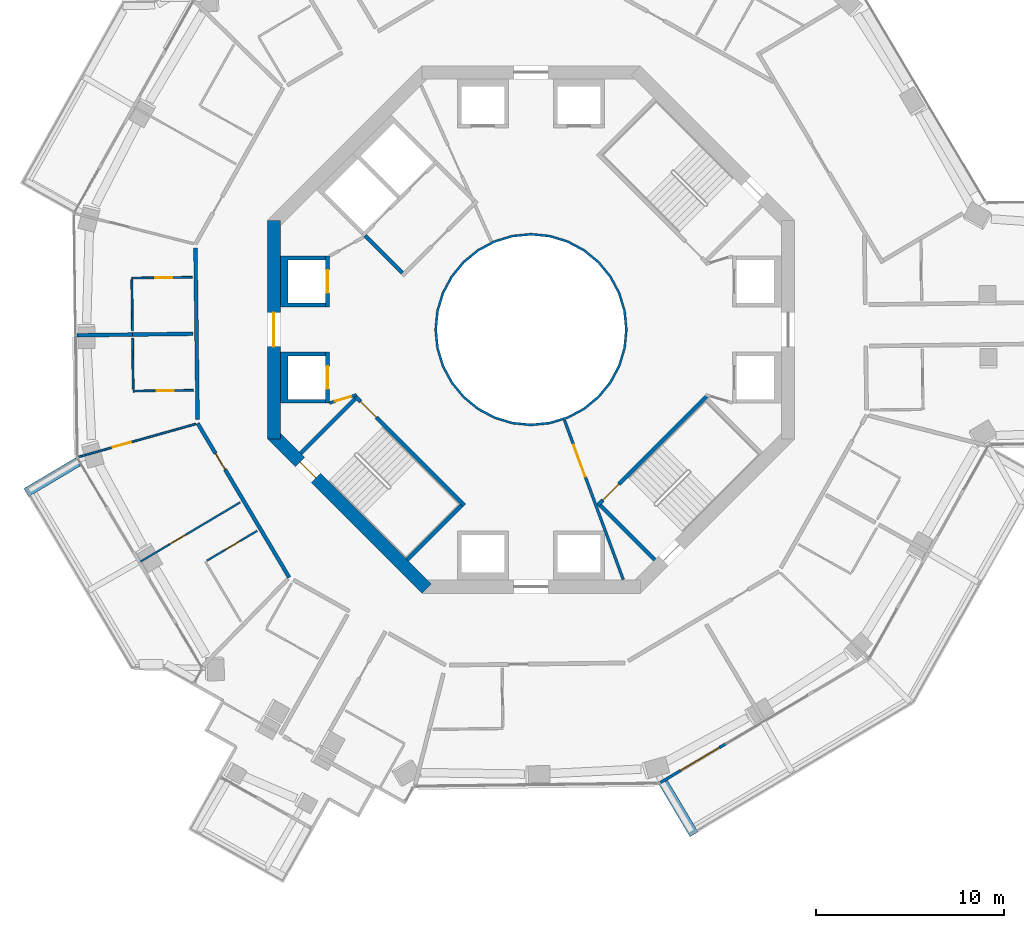
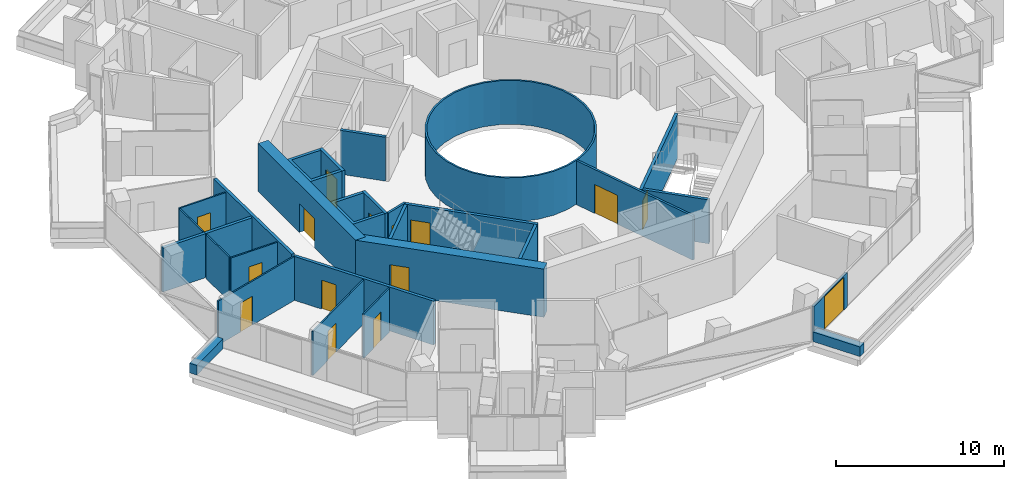
# One storey, part 14 of 21: 29 walls, 15 doors, 15 openings.
"""IFC4 building model written with IfcOpenShell, lengths in metres."""

from ifc_helpers import new_model, si_unit, direction, frame, frame_2d, origin, place, context, subcontext, project, spatial, polyline, rectangle, outline, extrude, material, layer, layer_set, type_object, element, fill, save


model = new_model("IFC4")

# Units and contexts
model_context = context("Model", 3, precision=1e-05, world=origin(), true_north=direction((0.0, 1.0)))
body_context = subcontext(model_context, "Body", "Model", "MODEL_VIEW")
ifc_project = project(units=[si_unit("LENGTHUNIT", "METRE"), si_unit("AREAUNIT", "SQUARE_METRE"), si_unit("VOLUMEUNIT", "CUBIC_METRE"), si_unit("PLANEANGLEUNIT", "RADIAN"), si_unit("MASSUNIT", "GRAM", prefix="KILO")], contexts=[model_context])

# Site, building, storey
site_placement = place(None, origin())
site = spatial("IfcSite", under=ifc_project, at=site_placement, CompositionType="ELEMENT")
building_placement = place(site_placement, origin())
building = spatial("IfcBuilding", under=site, at=building_placement, Name="Verdalira Terraces Hotel", CompositionType="ELEMENT")
storey_placement = place(building_placement, frame((0.0, 0.0, 158.5)))
storey = spatial("IfcBuildingStorey", under=building, at=storey_placement, Name="L38", CompositionType="ELEMENT", Elevation=158.5)

# Walls
ifc_material_1 = material(Name="Fire-resisting glass EI 180", Category="glass")
ifc_layer_1 = layer(ifc_material_1, 0.1201171875)
ifc_layer_set_1 = layer_set([ifc_layer_1], Name="Atrium fire screen 120 mm")
wall_type_1 = type_object("IfcWallType", Name="Atrium fire screen 120 mm", PredefinedType="SOLIDWALL", material=ifc_layer_set_1)
wall_1_placement = place(storey_placement, origin())
element("IfcWall", 1, at=wall_1_placement, inside=storey, type_object=wall_type_1, Name="Atrium fire screen", PredefinedType="SOLIDWALL", context=body_context, shape_type="SweptSolid", body=[
    extrude(outline(polyline([(5.021484, -0.998779), (4.730225, -1.959229), (4.25708, -2.844482), (3.620361, -3.620361), (2.844482, -4.25708), (1.959229, -4.730225), (0.998779, -5.021484), (0.0, -5.120117), (-0.998779, -5.021484), (-1.959229, -4.730225), (-2.844482, -4.25708), (-3.620361, -3.620361), (-4.25708, -2.844482), (-4.730225, -1.959229), (-5.021484, -0.998779), (-5.120117, 0.0), (-5.021484, 0.998779), (-4.730225, 1.959229), (-4.25708, 2.844482), (-3.620361, 3.620361), (-2.844482, 4.25708), (-1.959229, 4.730225), (-0.998779, 5.021484), (0.0, 5.120117), (0.998779, 5.021484), (1.959229, 4.730225), (2.844482, 4.25708), (3.620361, 3.620361), (4.25708, 2.844482), (4.730225, 1.959229), (5.021484, 0.998779), (5.120117, 0.0), (5.021484, -0.998779)]), holes=[polyline([(4.903809, 0.975586), (4.619385, 1.91333), (4.157227, 2.777832), (3.5354, 3.5354), (2.777832, 4.157227), (1.91333, 4.619385), (0.975586, 4.903809), (0.0, 5.0), (-0.975586, 4.903809), (-1.91333, 4.619385), (-2.777832, 4.157227), (-3.5354, 3.5354), (-4.157227, 2.777832), (-4.619385, 1.91333), (-4.903809, 0.975586), (-5.0, 0.0), (-4.903809, -0.975586), (-4.619385, -1.91333), (-4.157227, -2.777832), (-3.5354, -3.5354), (-2.777832, -4.157227), (-1.91333, -4.619385), (-0.975586, -4.903809), (0.0, -5.0), (0.975586, -4.903809), (1.91333, -4.619385), (2.777832, -4.157227), (3.5354, -3.5354), (4.157227, -2.777832), (4.619385, -1.91333), (4.903809, -0.975586), (5.0, 0.0), (4.903809, 0.975586)])]), origin(), (0.0, 0.0, 1.0), 3.189941),
])
ifc_material_2 = material(Name="Concrete C40", Category="concrete")
ifc_layer_2 = layer(ifc_material_2, 0.5)
ifc_layer_set_2 = layer_set([ifc_layer_2], Name="Balcony planter trough with tree")
wall_type_2 = type_object("IfcWallType", Name="Balcony planter trough with tree", PredefinedType="SOLIDWALL", material=ifc_layer_set_2)
for number, where, z_axis, x_axis, name in (
    (2, (-24.047852, -7.019775, 0.0), (0.0, 0.0, 1.0), (-0.859673576, -0.510843756, 0.0), "Balcony planter"),
    (3, (7.019775, -24.047852, 0.0), (0.0, 0.0, 1.0), (0.510843756, -0.859673576, 0.0), "Balcony planter"),
):
    element("IfcWall", number, at=place(storey_placement, frame(where, z_axis=z_axis, x_axis=x_axis)), inside=storey, type_object=wall_type_2, Name=name, PredefinedType="SOLIDWALL", context=body_context, shape_type="SweptSolid", body=[
        extrude(rectangle(XDim=3.199219, YDim=0.5, at=frame_2d((1.599609, 0.0))), origin(), (0.0, 0.0, 1.0), 0.699951),
    ])
ifc_material_3 = material(Name="Moisture-resistant gypsum board partition")
ifc_layer_3 = layer(ifc_material_3, 0.10009765625)
ifc_layer_set_3 = layer_set([ifc_layer_3], Name="Bathroom partition 100 mm")
wall_type_3 = type_object("IfcWallType", Name="Bathroom partition 100 mm", PredefinedType="PARTITIONING", material=ifc_layer_set_3)
for number, where, z_axis, x_axis, name in (
    (4, (-21.193115, 2.633789, 0.0), (0.0, 0.0, 1.0), (0.012569092, -0.999921006, 0.0), "Bathroom partition"),
    (5, (-21.154053, -0.46582, 0.0), (0.0, 0.0, 1.0), (0.012569092, -0.999921006, 0.0), "Bathroom partition"),
):
    element("IfcWall", number, at=place(storey_placement, frame(where, z_axis=z_axis, x_axis=x_axis)), inside=storey, type_object=wall_type_3, Name=name, PredefinedType="PARTITIONING", context=body_context, shape_type="SweptSolid", body=[
        extrude(rectangle(XDim=2.699951, YDim=0.100098, at=frame_2d((1.350098, 0.0))), origin(), (0.0, 0.0, 1.0), 3.189941),
    ])

# Wall, opening, door
wall_2_placement = place(storey_placement, frame((-24.030273, -6.763672, 0.0), z_axis=(0.0, 0.0, 1.0), x_axis=(0.962600564, 0.27092463, 0.0)))
wall_2 = element("IfcWall", 6, at=wall_2_placement, inside=storey, type_object=wall_type_3, Name="Bathroom partition", PredefinedType="PARTITIONING", context=body_context, shape_type="SweptSolid", body=[
    extrude(rectangle(XDim=6.475586, YDim=0.100098, at=frame_2d((3.237793, 0.0))), origin(), (0.0, 0.0, 1.0), 3.189941),
])
opening_1_placement = place(wall_2_placement, frame((1.899902, 0.0, 0.0)))
opening_1 = element("IfcOpeningElement", 7, at=opening_1_placement, cuts=wall_2, Name="Opening L38-112", PredefinedType="OPENING", context=body_context, shape_type="SweptSolid", body=[
    extrude(rectangle(XDim=1.0, YDim=2.100098, at=frame_2d((0.5, 1.050049))), frame((0.0, 0.060059, 0.0), z_axis=(0.0, -1.0, 0.0), x_axis=(1.0, 0.0, 0.0)), (0.0, 0.0, 1.0), 0.120117),
])
ifc_material_4 = material(Name="Timber door", Category="wood")
door_type_1 = type_object("IfcDoorType", Name="Suite internal door 1000 x 2100", OperationType="NOTDEFINED", PredefinedType="DOOR", material=ifc_material_4)
door_1_placement = place(opening_1_placement, origin())
door_1 = element("IfcDoor", 8, at=door_1_placement, inside=storey, type_object=door_type_1, Name="Suite internal door 3803", OperationType="SINGLE_SWING_LEFT", OverallHeight=2.10009765625, OverallWidth=1.0, PredefinedType="DOOR", context=body_context, shape_type="SweptSolid", body=[
    extrude(rectangle(XDim=1.0, YDim=2.100098, at=frame_2d((0.5, 1.050049))), frame((0.0, 0.024902, 0.0), z_axis=(0.0, -1.0, 0.0), x_axis=(1.0, 0.0, 0.0)), (0.0, 0.0, 1.0), 0.050049),
])
fill(opening_1, door_1)

wall_3_placement = place(storey_placement, frame((-17.994629, 2.77417, 0.0), z_axis=(0.0, 0.0, 1.0), x_axis=(-0.99992076, -0.012588656, 0.0)))
wall_3 = element("IfcWall", 9, at=wall_3_placement, inside=storey, type_object=wall_type_3, Name="Bathroom partition", PredefinedType="PARTITIONING", context=body_context, shape_type="SweptSolid", body=[
    extrude(rectangle(XDim=3.199951, YDim=0.100098, at=frame_2d((1.600098, 0.0))), origin(), (0.0, 0.0, 1.0), 3.189941),
])
opening_2_placement = place(wall_3_placement, frame((1.050049, 0.0, 0.0)))
opening_2 = element("IfcOpeningElement", 10, at=opening_2_placement, cuts=wall_3, Name="Opening L38-110", PredefinedType="OPENING", context=body_context, shape_type="SweptSolid", body=[
    extrude(rectangle(XDim=0.899902, YDim=2.100098, at=frame_2d((0.449951, 1.050049))), frame((0.0, 0.060059, 0.0), z_axis=(0.0, -1.0, 0.0), x_axis=(1.0, 0.0, 0.0)), (0.0, 0.0, 1.0), 0.120117),
])
ifc_material_5 = material(Name="Timber door", Category="wood")
door_type_2 = type_object("IfcDoorType", Name="Bathroom door 900 x 2100", OperationType="NOTDEFINED", PredefinedType="DOOR", material=ifc_material_5)
door_2_placement = place(opening_2_placement, origin())
door_2 = element("IfcDoor", 11, at=door_2_placement, inside=storey, type_object=door_type_2, Name="Bathroom door 3802", OperationType="SINGLE_SWING_RIGHT", OverallHeight=2.10009765625, OverallWidth=0.89990234375, PredefinedType="DOOR", context=body_context, shape_type="SweptSolid", body=[
    extrude(rectangle(XDim=0.899902, YDim=2.100098, at=frame_2d((0.449951, 1.050049))), frame((0.0, 0.024902, 0.0), z_axis=(0.0, -1.0, 0.0), x_axis=(1.0, 0.0, 0.0)), (0.0, 0.0, 1.0), 0.050049),
])
fill(opening_2, door_2)

wall_4_placement = place(storey_placement, frame((-21.118896, -3.265625, 0.0), z_axis=(0.0, 0.0, 1.0), x_axis=(0.99992076, 0.012588656, 0.0)))
wall_4 = element("IfcWall", 12, at=wall_4_placement, inside=storey, type_object=wall_type_3, Name="Bathroom partition", PredefinedType="PARTITIONING", context=body_context, shape_type="SweptSolid", body=[
    extrude(rectangle(XDim=3.199951, YDim=0.100098, at=frame_2d((1.600098, 0.0))), origin(), (0.0, 0.0, 1.0), 3.189941),
])
opening_3_placement = place(wall_4_placement, frame((1.25, 0.0, 0.0)))
opening_3 = element("IfcOpeningElement", 13, at=opening_3_placement, cuts=wall_4, Name="Opening L38-114", PredefinedType="OPENING", context=body_context, shape_type="SweptSolid", body=[
    extrude(rectangle(XDim=0.899902, YDim=2.100098, at=frame_2d((0.449951, 1.050049))), frame((0.0, 0.060059, 0.0), z_axis=(0.0, -1.0, 0.0), x_axis=(1.0, 0.0, 0.0)), (0.0, 0.0, 1.0), 0.120117),
])
door_3_placement = place(opening_3_placement, origin())
door_3 = element("IfcDoor", 14, at=door_3_placement, inside=storey, type_object=door_type_2, Name="Bathroom door 3803", OperationType="SINGLE_SWING_LEFT", OverallHeight=2.10009765625, OverallWidth=0.89990234375, PredefinedType="DOOR", context=body_context, shape_type="SweptSolid", body=[
    extrude(rectangle(XDim=0.899902, YDim=2.100098, at=frame_2d((0.449951, 1.050049))), frame((0.0, 0.024902, 0.0), z_axis=(0.0, -1.0, 0.0), x_axis=(1.0, 0.0, 0.0)), (0.0, 0.0, 1.0), 0.050049),
])
fill(opening_3, door_3)

wall_5_placement = place(storey_placement, frame((-15.438232, -9.173828, 0.0), z_axis=(0.0, 0.0, 1.0), x_axis=(-0.859667353, -0.510854228, 0.0)))
wall_5 = element("IfcWall", 15, at=wall_5_placement, inside=storey, type_object=wall_type_3, Name="Bathroom partition", PredefinedType="PARTITIONING", context=body_context, shape_type="SweptSolid", body=[
    extrude(rectangle(XDim=6.150146, YDim=0.100098, at=frame_2d((3.075195, 0.0))), origin(), (0.0, 0.0, 1.0), 3.189941),
])
opening_4_placement = place(wall_5_placement, frame((3.350098, 0.0, 0.0)))
opening_4 = element("IfcOpeningElement", 16, at=opening_4_placement, cuts=wall_5, Name="Opening L38-113", PredefinedType="OPENING", context=body_context, shape_type="SweptSolid", body=[
    extrude(rectangle(XDim=1.0, YDim=2.100098, at=frame_2d((0.5, 1.050049))), frame((0.0, 0.060059, 0.0), z_axis=(0.0, -1.0, 0.0), x_axis=(1.0, 0.0, 0.0)), (0.0, 0.0, 1.0), 0.120117),
])
door_4_placement = place(opening_4_placement, origin())
door_4 = element("IfcDoor", 17, at=door_4_placement, inside=storey, type_object=door_type_1, Name="Suite internal door 3803", OperationType="SINGLE_SWING_LEFT", OverallHeight=2.10009765625, OverallWidth=1.0, PredefinedType="DOOR", context=body_context, shape_type="SweptSolid", body=[
    extrude(rectangle(XDim=1.0, YDim=2.100098, at=frame_2d((0.5, 1.050049))), frame((0.0, 0.024902, 0.0), z_axis=(0.0, -1.0, 0.0), x_axis=(1.0, 0.0, 0.0)), (0.0, 0.0, 1.0), 0.050049),
])
fill(opening_4, door_4)

wall_6_placement = place(storey_placement, frame((-14.540039, -10.685547, 0.0), z_axis=(0.0, 0.0, 1.0), x_axis=(-0.859694802, -0.510808033, 0.0)))
wall_6 = element("IfcWall", 18, at=wall_6_placement, inside=storey, type_object=wall_type_3, Name="Bathroom partition", PredefinedType="PARTITIONING", context=body_context, shape_type="SweptSolid", body=[
    extrude(rectangle(XDim=3.100098, YDim=0.100098, at=frame_2d((1.550049, 0.0))), origin(), (0.0, 0.0, 1.0), 3.189941),
])
opening_5_placement = place(wall_6_placement, frame((1.050049, 0.0, 0.0)))
opening_5 = element("IfcOpeningElement", 19, at=opening_5_placement, cuts=wall_6, Name="Opening L38-115", PredefinedType="OPENING", context=body_context, shape_type="SweptSolid", body=[
    extrude(rectangle(XDim=0.899902, YDim=2.100098, at=frame_2d((0.449951, 1.050049))), frame((0.0, 0.060059, 0.0), z_axis=(0.0, -1.0, 0.0), x_axis=(1.0, 0.0, 0.0)), (0.0, 0.0, 1.0), 0.120117),
])
door_5_placement = place(opening_5_placement, origin())
door_5 = element("IfcDoor", 20, at=door_5_placement, inside=storey, type_object=door_type_2, Name="Bathroom door 3803", OperationType="SINGLE_SWING_RIGHT", OverallHeight=2.10009765625, OverallWidth=0.89990234375, PredefinedType="DOOR", context=body_context, shape_type="SweptSolid", body=[
    extrude(rectangle(XDim=0.899902, YDim=2.100098, at=frame_2d((0.449951, 1.050049))), frame((0.0, 0.024902, 0.0), z_axis=(0.0, -1.0, 0.0), x_axis=(1.0, 0.0, 0.0)), (0.0, 0.0, 1.0), 0.050049),
])
fill(opening_5, door_5)

# Wall
ifc_material_6 = material(Name="Concrete C50", Category="concrete")
ifc_layer_4 = layer(ifc_material_6, 0.199951171875)
ifc_layer_set_4 = layer_set([ifc_layer_4], Name="Core RC wall 200 C50")
wall_type_4 = type_object("IfcWallType", Name="Core RC wall 200 C50", PredefinedType="SOLIDWALL", material=ifc_layer_set_4)
wall_7_placement = place(storey_placement, origin())
element("IfcWall", 21, at=wall_7_placement, inside=storey, type_object=wall_type_4, Name="L38 shaft wall W1", PredefinedType="SOLIDWALL", context=body_context, shape_type="SweptSolid", body=[
    extrude(outline(polyline([(-13.300049, 3.899902), (-10.899902, 3.899902), (-10.899902, 3.699951), (-12.899902, 3.699951), (-12.899902, 1.399902), (-10.899902, 1.399902), (-10.899902, 1.199951), (-13.300049, 1.199951), (-13.300049, 3.899902)])), origin(), (0.0, 0.0, 1.0), 3.189941),
])

# Wall, opening, door
wall_8_placement = place(storey_placement, frame((-10.800049, 1.199951, 0.0), z_axis=(0.0, 0.0, 1.0), x_axis=(0.0, 1.0, 0.0)))
wall_8 = element("IfcWall", 22, at=wall_8_placement, inside=storey, type_object=wall_type_4, Name="L38 shaft front wall W1", PredefinedType="SOLIDWALL", context=body_context, shape_type="SweptSolid", body=[
    extrude(rectangle(XDim=2.699951, YDim=0.199951, at=frame_2d((1.350098, 0.0))), origin(), (0.0, 0.0, 1.0), 3.189941),
])
opening_6_placement = place(wall_8_placement, frame((0.75, 0.0, 0.0)))
opening_6 = element("IfcOpeningElement", 23, at=opening_6_placement, cuts=wall_8, Name="Opening LD-L38-805", PredefinedType="OPENING", context=body_context, shape_type="SweptSolid", body=[
    extrude(rectangle(XDim=1.199951, YDim=2.100098, at=frame_2d((0.600098, 1.050049))), frame((0.0, 0.109863, 0.0), z_axis=(0.0, -1.0, 0.0), x_axis=(1.0, 0.0, 0.0)), (0.0, 0.0, 1.0), 0.219971),
])
ifc_material_7 = material(Name="Stainless steel", Category="steel")
door_type_3 = type_object("IfcDoorType", Name="Landing door 1200 x 2100", OperationType="NOTDEFINED", PredefinedType="DOOR", material=ifc_material_7)
door_6_placement = place(opening_6_placement, origin())
door_6 = element("IfcDoor", 24, at=door_6_placement, inside=storey, type_object=door_type_3, Name="Lift landing door LR5 L38", OperationType="DOUBLE_DOOR_SLIDING", OverallHeight=2.10009765625, OverallWidth=1.199951171875, PredefinedType="DOOR", context=body_context, shape_type="SweptSolid", body=[
    extrude(rectangle(XDim=1.199951, YDim=2.100098, at=frame_2d((0.600098, 1.050049))), frame((0.0, 0.024902, 0.0), z_axis=(0.0, -1.0, 0.0), x_axis=(1.0, 0.0, 0.0)), (0.0, 0.0, 1.0), 0.050049),
])
fill(opening_6, door_6)

# Wall
wall_9_placement = place(storey_placement, origin())
element("IfcWall", 25, at=wall_9_placement, inside=storey, type_object=wall_type_4, Name="L38 shaft wall W2", PredefinedType="SOLIDWALL", context=body_context, shape_type="SweptSolid", body=[
    extrude(outline(polyline([(-13.300049, -3.899902), (-13.300049, -1.199951), (-10.899902, -1.199951), (-10.899902, -1.399902), (-12.899902, -1.399902), (-12.899902, -3.699951), (-10.899902, -3.699951), (-10.899902, -3.899902), (-13.300049, -3.899902)])), origin(), (0.0, 0.0, 1.0), 3.189941),
])

# Wall, opening, door
wall_10_placement = place(storey_placement, frame((-10.800049, -1.199951, 0.0), z_axis=(0.0, 0.0, 1.0), x_axis=(0.0, -1.0, 0.0)))
wall_10 = element("IfcWall", 26, at=wall_10_placement, inside=storey, type_object=wall_type_4, Name="L38 shaft front wall W2", PredefinedType="SOLIDWALL", context=body_context, shape_type="SweptSolid", body=[
    extrude(rectangle(XDim=2.699951, YDim=0.199951, at=frame_2d((1.350098, 0.0))), origin(), (0.0, 0.0, 1.0), 3.189941),
])
opening_7_placement = place(wall_10_placement, frame((0.75, 0.0, 0.0)))
opening_7 = element("IfcOpeningElement", 27, at=opening_7_placement, cuts=wall_10, Name="Opening LD-L38-806", PredefinedType="OPENING", context=body_context, shape_type="SweptSolid", body=[
    extrude(rectangle(XDim=1.199951, YDim=2.100098, at=frame_2d((0.600098, 1.050049))), frame((0.0, 0.109863, 0.0), z_axis=(0.0, -1.0, 0.0), x_axis=(1.0, 0.0, 0.0)), (0.0, 0.0, 1.0), 0.219971),
])
door_7_placement = place(opening_7_placement, origin())
door_7 = element("IfcDoor", 28, at=door_7_placement, inside=storey, type_object=door_type_3, Name="Lift landing door LR6 L38", OperationType="DOUBLE_DOOR_SLIDING", OverallHeight=2.10009765625, OverallWidth=1.199951171875, PredefinedType="DOOR", context=body_context, shape_type="SweptSolid", body=[
    extrude(rectangle(XDim=1.199951, YDim=2.100098, at=frame_2d((0.600098, 1.050049))), frame((0.0, 0.024902, 0.0), z_axis=(0.0, -1.0, 0.0), x_axis=(1.0, 0.0, 0.0)), (0.0, 0.0, 1.0), 0.050049),
])
fill(opening_7, door_7)

wall_11_placement = place(storey_placement, frame((-3.5354, -9.33374, 0.0), z_axis=(0.0, 0.0, 1.0), x_axis=(-0.707106781, 0.707106781, 0.0)))
wall_11 = element("IfcWall", 29, at=wall_11_placement, inside=storey, type_object=wall_type_4, Name="L38 stair ST2 front wall", PredefinedType="SOLIDWALL", context=body_context, shape_type="SweptSolid", body=[
    extrude(rectangle(XDim=8.200195, YDim=0.199951, at=frame_2d((4.100098, 0.0))), origin(), (0.0, 0.0, 1.0), 3.189941),
])
opening_8_placement = place(wall_11_placement, frame((6.600098, 0.0, 0.0)))
opening_8 = element("IfcOpeningElement", 30, at=opening_8_placement, cuts=wall_11, Name="Opening L38-810", PredefinedType="OPENING", context=body_context, shape_type="SweptSolid", body=[
    extrude(rectangle(XDim=1.199951, YDim=2.100098, at=frame_2d((0.600098, 1.050049))), frame((0.0, 0.109863, 0.0), z_axis=(0.0, -1.0, 0.0), x_axis=(1.0, 0.0, 0.0)), (0.0, 0.0, 1.0), 0.219971),
])
ifc_material_8 = material(Name="Steel fire door", Category="steel")
door_type_4 = type_object("IfcDoorType", Name="Stair door 1200 x 2100", OperationType="NOTDEFINED", PredefinedType="DOOR", material=ifc_material_8)
door_8_placement = place(opening_8_placement, origin())
door_8 = element("IfcDoor", 31, at=door_8_placement, inside=storey, type_object=door_type_4, Name="Stair door ST2 L38", OperationType="SINGLE_SWING_RIGHT", OverallHeight=2.10009765625, OverallWidth=1.199951171875, PredefinedType="DOOR", context=body_context, shape_type="SweptSolid", body=[
    extrude(rectangle(XDim=1.199951, YDim=2.100098, at=frame_2d((0.600098, 1.050049))), frame((0.0, 0.024902, 0.0), z_axis=(0.0, -1.0, 0.0), x_axis=(1.0, 0.0, 0.0)), (0.0, 0.0, 1.0), 0.050049),
])
fill(opening_8, door_8)

# Walls
for number, where, z_axis, x_axis, name in (
    (32, (-9.33374, -3.677002, 0.0), (0.0, 0.0, 1.0), (-0.707106781, -0.707106781, 0.0), "L38 stair ST2 end wall 1"),
    (33, (-3.677002, -9.33374, 0.0), (0.0, 0.0, 1.0), (-0.707106781, -0.707106781, 0.0), "L38 stair ST2 end wall 2"),
):
    element("IfcWall", number, at=place(storey_placement, frame(where, z_axis=z_axis, x_axis=x_axis)), inside=storey, type_object=wall_type_4, Name=name, PredefinedType="SOLIDWALL", context=body_context, shape_type="SweptSolid", body=[
        extrude(rectangle(XDim=4.100098, YDim=0.199951, at=frame_2d((2.050049, 0.0))), origin(), (0.0, 0.0, 1.0), 3.189941),
    ])

# Wall, opening, door
wall_12_placement = place(storey_placement, frame((9.33374, -3.5354, 0.0), z_axis=(0.0, 0.0, 1.0), x_axis=(-0.707106781, -0.707106781, 0.0)))
wall_12 = element("IfcWall", 34, at=wall_12_placement, inside=storey, type_object=wall_type_4, Name="L38 stair ST3 front wall", PredefinedType="SOLIDWALL", context=body_context, shape_type="SweptSolid", body=[
    extrude(rectangle(XDim=8.200195, YDim=0.199951, at=frame_2d((4.100098, 0.0))), origin(), (0.0, 0.0, 1.0), 3.189941),
])
opening_9_placement = place(wall_12_placement, frame((6.600098, 0.0, 0.0)))
opening_9 = element("IfcOpeningElement", 35, at=opening_9_placement, cuts=wall_12, Name="Opening L38-811", PredefinedType="OPENING", context=body_context, shape_type="SweptSolid", body=[
    extrude(rectangle(XDim=1.199951, YDim=2.100098, at=frame_2d((0.600098, 1.050049))), frame((0.0, 0.109863, 0.0), z_axis=(0.0, -1.0, 0.0), x_axis=(1.0, 0.0, 0.0)), (0.0, 0.0, 1.0), 0.219971),
])
door_9_placement = place(opening_9_placement, origin())
door_9 = element("IfcDoor", 36, at=door_9_placement, inside=storey, type_object=door_type_4, Name="Stair door ST3 L38", OperationType="SINGLE_SWING_RIGHT", OverallHeight=2.10009765625, OverallWidth=1.199951171875, PredefinedType="DOOR", context=body_context, shape_type="SweptSolid", body=[
    extrude(rectangle(XDim=1.199951, YDim=2.100098, at=frame_2d((0.600098, 1.050049))), frame((0.0, 0.024902, 0.0), z_axis=(0.0, -1.0, 0.0), x_axis=(1.0, 0.0, 0.0)), (0.0, 0.0, 1.0), 0.050049),
])
fill(opening_9, door_9)

# Walls
wall_13_placement = place(storey_placement, frame((3.677002, -9.33374, 0.0), z_axis=(0.0, 0.0, 1.0), x_axis=(0.707106781, -0.707106781, 0.0)))
element("IfcWall", 37, at=wall_13_placement, inside=storey, type_object=wall_type_4, Name="L38 stair ST3 end wall 1", PredefinedType="SOLIDWALL", context=body_context, shape_type="SweptSolid", body=[
    extrude(rectangle(XDim=4.100098, YDim=0.199951, at=frame_2d((2.050049, 0.0))), origin(), (0.0, 0.0, 1.0), 3.189941),
])
wall_14_placement = place(storey_placement, frame((-6.823486, 3.005127, 0.0), z_axis=(0.0, 0.0, 1.0), x_axis=(-0.707106781, 0.707106781, 0.0)))
element("IfcWall", 38, at=wall_14_placement, inside=storey, type_object=wall_type_4, Name="L38 fire lobby wall", PredefinedType="SOLIDWALL", context=body_context, shape_type="SweptSolid", body=[
    extrude(rectangle(XDim=2.800049, YDim=0.199951, at=frame_2d((1.399902, 0.0))), origin(), (0.0, 0.0, 1.0), 3.189941),
])

# Wall, opening, door
ifc_material_9 = material(Name="Gypsum board partition")
ifc_layer_5 = layer(ifc_material_9, 0.14990234375)
ifc_layer_set_5 = layer_set([ifc_layer_5], Name="Core partition 150 mm")
wall_type_5 = type_object("IfcWallType", Name="Core partition 150 mm", PredefinedType="PARTITIONING", material=ifc_layer_set_5)
wall_15_placement = place(storey_placement, frame((-10.699951, -3.899902, 0.0), z_axis=(0.0, 0.0, 1.0), x_axis=(0.957084567, 0.289808785, 0.0)))
wall_15 = element("IfcWall", 39, at=wall_15_placement, inside=storey, type_object=wall_type_5, Name="Room partition L38", PredefinedType="PARTITIONING", context=body_context, shape_type="SweptSolid", body=[
    extrude(rectangle(XDim=1.501221, YDim=0.149902, at=frame_2d((0.750488, 0.0))), origin(), (0.0, 0.0, 1.0), 3.189941),
])
opening_10_placement = place(wall_15_placement, frame((0.300781, 0.0, 0.0)))
opening_10 = element("IfcOpeningElement", 40, at=opening_10_placement, cuts=wall_15, Name="Opening L38-822", PredefinedType="OPENING", context=body_context, shape_type="SweptSolid", body=[
    extrude(rectangle(XDim=0.899902, YDim=2.100098, at=frame_2d((0.449951, 1.050049))), frame((0.0, 0.084961, 0.0), z_axis=(0.0, -1.0, 0.0), x_axis=(1.0, 0.0, 0.0)), (0.0, 0.0, 1.0), 0.169922),
])
ifc_material_10 = material(Name="Steel fire door", Category="steel")
door_type_5 = type_object("IfcDoorType", Name="Core room door 900 x 2100", OperationType="NOTDEFINED", PredefinedType="DOOR", material=ifc_material_10)
door_10_placement = place(opening_10_placement, origin())
door_10 = element("IfcDoor", 41, at=door_10_placement, inside=storey, type_object=door_type_5, Name="Door L38 room4", OperationType="SINGLE_SWING_LEFT", OverallHeight=2.10009765625, OverallWidth=0.89990234375, PredefinedType="DOOR", context=body_context, shape_type="SweptSolid", body=[
    extrude(rectangle(XDim=0.899902, YDim=2.100098, at=frame_2d((0.449951, 1.050049))), frame((0.0, 0.024902, 0.0), z_axis=(0.0, -1.0, 0.0), x_axis=(1.0, 0.0, 0.0)), (0.0, 0.0, 1.0), 0.050049),
])
fill(opening_10, door_10)

wall_16_placement = place(storey_placement, frame((1.775635, -4.812988, 0.0), z_axis=(0.0, 0.0, 1.0), x_axis=(0.346109381, -0.938194168, 0.0)))
wall_16 = element("IfcWall", 42, at=wall_16_placement, inside=storey, type_object=wall_type_5, Name="Gallery fire partition L38", PredefinedType="PARTITIONING", context=body_context, shape_type="SweptSolid", body=[
    extrude(rectangle(XDim=9.016357, YDim=0.149902, at=frame_2d((4.508301, 0.0))), origin(), (0.0, 0.0, 1.0), 3.189941),
])
opening_11_placement = place(wall_16_placement, frame((1.399902, 0.0, 0.0)))
opening_11 = element("IfcOpeningElement", 43, at=opening_11_placement, cuts=wall_16, Name="Opening L38-825", PredefinedType="OPENING", context=body_context, shape_type="SweptSolid", body=[
    extrude(rectangle(XDim=1.800049, YDim=2.100098, at=frame_2d((0.899902, 1.050049))), frame((0.0, 0.084961, 0.0), z_axis=(0.0, -1.0, 0.0), x_axis=(1.0, 0.0, 0.0)), (0.0, 0.0, 1.0), 0.169922),
])
ifc_material_11 = material(Name="Steel fire door", Category="steel")
door_type_6 = type_object("IfcDoorType", Name="Gallery fire door pair 1800 x 2100", OperationType="NOTDEFINED", PredefinedType="DOOR", material=ifc_material_11)
door_11_placement = place(opening_11_placement, origin())
door_11 = element("IfcDoor", 44, at=door_11_placement, inside=storey, type_object=door_type_6, Name="Door L38 split6", OperationType="DOUBLE_DOOR_SINGLE_SWING", OverallHeight=2.10009765625, OverallWidth=1.800048828125, PredefinedType="DOOR", context=body_context, shape_type="SweptSolid", body=[
    extrude(rectangle(XDim=1.800049, YDim=2.100098, at=frame_2d((0.899902, 1.050049))), frame((0.0, 0.024902, 0.0), z_axis=(0.0, -1.0, 0.0), x_axis=(1.0, 0.0, 0.0)), (0.0, 0.0, 1.0), 0.050049),
])
fill(opening_11, door_11)

ifc_material_12 = material(Name="Concrete C60", Category="concrete")
ifc_layer_6 = layer(ifc_material_12, 0.699951171875)
ifc_layer_set_6 = layer_set([ifc_layer_6], Name="Core wall 700 C60")
wall_type_6 = type_object("IfcWallType", Name="Core wall 700 C60", PredefinedType="SHEAR", material=ifc_layer_set_6)
wall_17_placement = place(storey_placement, frame((-13.649902, 5.799072, 0.0), z_axis=(0.0, 0.0, 1.0), x_axis=(0.0, -1.0, 0.0)))
wall_17 = element("IfcWall", 45, at=wall_17_placement, inside=storey, type_object=wall_type_6, Name="Core wall CW-L38-5", PredefinedType="SHEAR", context=body_context, shape_type="SweptSolid", body=[
    extrude(rectangle(XDim=11.598145, YDim=0.699951, at=frame_2d((5.799072, 0.0))), origin(), (0.0, 0.0, 1.0), 3.5),
])
opening_12_placement = place(wall_17_placement, frame((4.898926, 0.0, 0.0)))
opening_12 = element("IfcOpeningElement", 46, at=opening_12_placement, cuts=wall_17, Name="Opening L38-814", PredefinedType="OPENING", context=body_context, shape_type="SweptSolid", body=[
    extrude(rectangle(XDim=1.800049, YDim=2.100098, at=frame_2d((0.899902, 1.050049))), frame((0.0, 0.359863, 0.0), z_axis=(0.0, -1.0, 0.0), x_axis=(1.0, 0.0, 0.0)), (0.0, 0.0, 1.0), 0.719971),
])
ifc_material_13 = material(Name="Steel fire door", Category="steel")
door_type_7 = type_object("IfcDoorType", Name="Core entry door pair 1800 x 2100", OperationType="NOTDEFINED", PredefinedType="DOOR", material=ifc_material_13)
door_12_placement = place(opening_12_placement, origin())
door_12 = element("IfcDoor", 47, at=door_12_placement, inside=storey, type_object=door_type_7, Name="Core entry door L38 4", OperationType="DOUBLE_DOOR_SINGLE_SWING", OverallHeight=2.10009765625, OverallWidth=1.800048828125, PredefinedType="DOOR", context=body_context, shape_type="SweptSolid", body=[
    extrude(rectangle(XDim=1.800049, YDim=2.100098, at=frame_2d((0.899902, 1.050049))), frame((0.0, 0.024902, 0.0), z_axis=(0.0, -1.0, 0.0), x_axis=(1.0, 0.0, 0.0)), (0.0, 0.0, 1.0), 0.050049),
])
fill(opening_12, door_12)

wall_18_placement = place(storey_placement, frame((-13.752441, -5.551514, 0.0), z_axis=(0.0, 0.0, 1.0), x_axis=(0.707106781, -0.707106781, 0.0)))
wall_18 = element("IfcWall", 48, at=wall_18_placement, inside=storey, type_object=wall_type_6, Name="Core wall CW-L38-6", PredefinedType="SHEAR", context=body_context, shape_type="SweptSolid", body=[
    extrude(rectangle(XDim=11.5979, YDim=0.699951, at=frame_2d((5.798828, 0.0))), origin(), (0.0, 0.0, 1.0), 3.5),
])
opening_13_placement = place(wall_18_placement, frame((2.099121, 0.0, 0.0)))
opening_13 = element("IfcOpeningElement", 49, at=opening_13_placement, cuts=wall_18, Name="Opening L38-817", PredefinedType="OPENING", context=body_context, shape_type="SweptSolid", body=[
    extrude(rectangle(XDim=1.199951, YDim=2.100098, at=frame_2d((0.600098, 1.050049))), frame((0.0, 0.359863, 0.0), z_axis=(0.0, -1.0, 0.0), x_axis=(1.0, 0.0, 0.0)), (0.0, 0.0, 1.0), 0.719971),
])
door_13_placement = place(opening_13_placement, origin())
door_13 = element("IfcDoor", 50, at=door_13_placement, inside=storey, type_object=door_type_4, Name="Stair exit door ST2 L38", OperationType="SINGLE_SWING_LEFT", OverallHeight=2.10009765625, OverallWidth=1.199951171875, PredefinedType="DOOR", context=body_context, shape_type="SweptSolid", body=[
    extrude(rectangle(XDim=1.199951, YDim=2.100098, at=frame_2d((0.600098, 1.050049))), frame((0.0, 0.024902, 0.0), z_axis=(0.0, -1.0, 0.0), x_axis=(1.0, 0.0, 0.0)), (0.0, 0.0, 1.0), 0.050049),
])
fill(opening_13, door_13)

# Walls
ifc_material_14 = material(Name="Fire-rated gypsum board wall")
ifc_layer_7 = layer(ifc_material_14, 0.199951171875)
ifc_layer_set_7 = layer_set([ifc_layer_7], Name="Demising wall 200 mm")
wall_type_7 = type_object("IfcWallType", Name="Demising wall 200 mm", PredefinedType="SOLIDWALL", material=ifc_layer_set_7)
wall_19_placement = place(storey_placement, frame((-21.156738, -0.265869, 0.0), z_axis=(0.0, 0.0, 1.0), x_axis=(-0.999920872, -0.012579703, 0.0)))
element("IfcWall", 51, at=wall_19_placement, inside=storey, type_object=wall_type_7, Name="Demising wall", PredefinedType="SOLIDWALL", context=body_context, shape_type="SweptSolid", body=[
    extrude(rectangle(XDim=2.949951, YDim=0.199951, at=frame_2d((1.475098, 0.0))), origin(), (0.0, 0.0, 1.0), 3.189941),
])
wall_20_placement = place(storey_placement, frame((-17.956787, -0.225586, 0.0), z_axis=(0.0, 0.0, 1.0), x_axis=(-0.999920772, -0.012587696, 0.0)))
element("IfcWall", 52, at=wall_20_placement, inside=storey, type_object=wall_type_7, Name="Demising wall", PredefinedType="SOLIDWALL", context=body_context, shape_type="SweptSolid", body=[
    extrude(rectangle(XDim=3.200195, YDim=0.199951, at=frame_2d((1.600098, 0.0))), origin(), (0.0, 0.0, 1.0), 3.189941),
])
ifc_material_15 = material(Name="Fire-rated gypsum board wall")
ifc_layer_8 = layer(ifc_material_15, 0.199951171875)
ifc_layer_set_8 = layer_set([ifc_layer_8], Name="Guest corridor wall 200 mm")
wall_type_8 = type_object("IfcWallType", Name="Guest corridor wall 200 mm", PredefinedType="SOLIDWALL", material=ifc_layer_set_8)
wall_21_placement = place(storey_placement, frame((-17.814209, 4.334717, 0.0), z_axis=(0.0, 0.0, 1.0), x_axis=(0.012559939, -0.999921121, 0.0)))
element("IfcWall", 53, at=wall_21_placement, inside=storey, type_object=wall_type_8, Name="Guest corridor wall", PredefinedType="SOLIDWALL", context=body_context, shape_type="SweptSolid", body=[
    extrude(rectangle(XDim=9.116455, YDim=0.199951, at=frame_2d((4.558105, 0.0))), origin(), (0.0, 0.0, 1.0), 3.189941),
])

# Wall, opening, door
wall_22_placement = place(storey_placement, frame((-12.835693, -13.162354, 0.0), z_axis=(0.0, 0.0, 1.0), x_axis=(-0.510831537, 0.859680836, 0.0)))
wall_22 = element("IfcWall", 54, at=wall_22_placement, inside=storey, type_object=wall_type_8, Name="Guest corridor wall", PredefinedType="SOLIDWALL", context=body_context, shape_type="SweptSolid", body=[
    extrude(rectangle(XDim=9.516602, YDim=0.199951, at=frame_2d((4.758301, 0.0))), origin(), (0.0, 0.0, 1.0), 3.189941),
])
opening_14_placement = place(wall_22_placement, frame((6.658203, 0.0, 0.0)))
opening_14 = element("IfcOpeningElement", 55, at=opening_14_placement, cuts=wall_22, Name="Opening L38-111", PredefinedType="OPENING", context=body_context, shape_type="SweptSolid", body=[
    extrude(rectangle(XDim=1.0, YDim=2.100098, at=frame_2d((0.5, 1.050049))), frame((0.0, 0.109863, 0.0), z_axis=(0.0, -1.0, 0.0), x_axis=(1.0, 0.0, 0.0)), (0.0, 0.0, 1.0), 0.219971),
])
ifc_material_16 = material(Name="Timber fire door", Category="wood")
door_type_8 = type_object("IfcDoorType", Name="Guest entry door 1000 x 2100", OperationType="NOTDEFINED", PredefinedType="DOOR", material=ifc_material_16)
door_14_placement = place(opening_14_placement, origin())
door_14 = element("IfcDoor", 56, at=door_14_placement, inside=storey, type_object=door_type_8, Name="Guest entry door 3803", OperationType="SINGLE_SWING_LEFT", OverallHeight=2.10009765625, OverallWidth=1.0, PredefinedType="DOOR", context=body_context, shape_type="SweptSolid", body=[
    extrude(rectangle(XDim=1.0, YDim=2.100098, at=frame_2d((0.5, 1.050049))), frame((0.0, 0.024902, 0.0), z_axis=(0.0, -1.0, 0.0), x_axis=(1.0, 0.0, 0.0)), (0.0, 0.0, 1.0), 0.050049),
])
fill(opening_14, door_14)

ifc_material_17 = material(Name="Terracotta cladding", Category="masonry")
ifc_layer_9 = layer(ifc_material_17, 0.14990234375)
ifc_layer_set_9 = layer_set([ifc_layer_9], Name="Terracotta door pier 150")
wall_type_9 = type_object("IfcWallType", Name="Terracotta door pier 150", PredefinedType="SOLIDWALL", material=ifc_layer_set_9)
wall_23_placement = place(storey_placement, frame((6.852051, -24.059082, 0.0), z_axis=(0.0, 0.0, 1.0), x_axis=(0.859666968, 0.510854875, 0.0)))
wall_23 = element("IfcWall", 57, at=wall_23_placement, inside=storey, type_object=wall_type_9, Name="Terracotta door pier", PredefinedType="SOLIDWALL", context=body_context, shape_type="SweptSolid", body=[
    extrude(rectangle(XDim=4.067871, YDim=0.149902, at=frame_2d((2.033936, 0.0))), origin(), (0.0, 0.0, 1.0), 2.475098),
])
opening_15_placement = place(wall_23_placement, frame((1.267822, 0.0, 0.0)))
opening_15 = element("IfcOpeningElement", 58, at=opening_15_placement, cuts=wall_23, Name="Opening L38-B07", PredefinedType="OPENING", context=body_context, shape_type="SweptSolid", body=[
    extrude(rectangle(XDim=2.399902, YDim=2.399902, at=frame_2d((1.199951, 1.199951))), frame((0.0, 0.084961, 0.0), z_axis=(0.0, -1.0, 0.0), x_axis=(1.0, 0.0, 0.0)), (0.0, 0.0, 1.0), 0.169922),
])
ifc_material_18 = material(Name="Clear glass", Category="glass")
door_type_9 = type_object("IfcDoorType", Name="Balcony sliding door 2400x2400", OperationType="NOTDEFINED", PredefinedType="DOOR", material=ifc_material_18)
door_15_placement = place(opening_15_placement, origin())
door_15 = element("IfcDoor", 59, at=door_15_placement, inside=storey, type_object=door_type_9, Name="Balcony sliding door", OperationType="SLIDING_TO_LEFT", OverallHeight=2.39990234375, OverallWidth=2.39990234375, PredefinedType="DOOR", context=body_context, shape_type="SweptSolid", body=[
    extrude(rectangle(XDim=2.399902, YDim=2.399902, at=frame_2d((1.199951, 1.199951))), frame((0.0, 0.024902, 0.0), z_axis=(0.0, -1.0, 0.0), x_axis=(1.0, 0.0, 0.0)), (0.0, 0.0, 1.0), 0.050049),
])
fill(opening_15, door_15)

save(model, "model.ifc")
